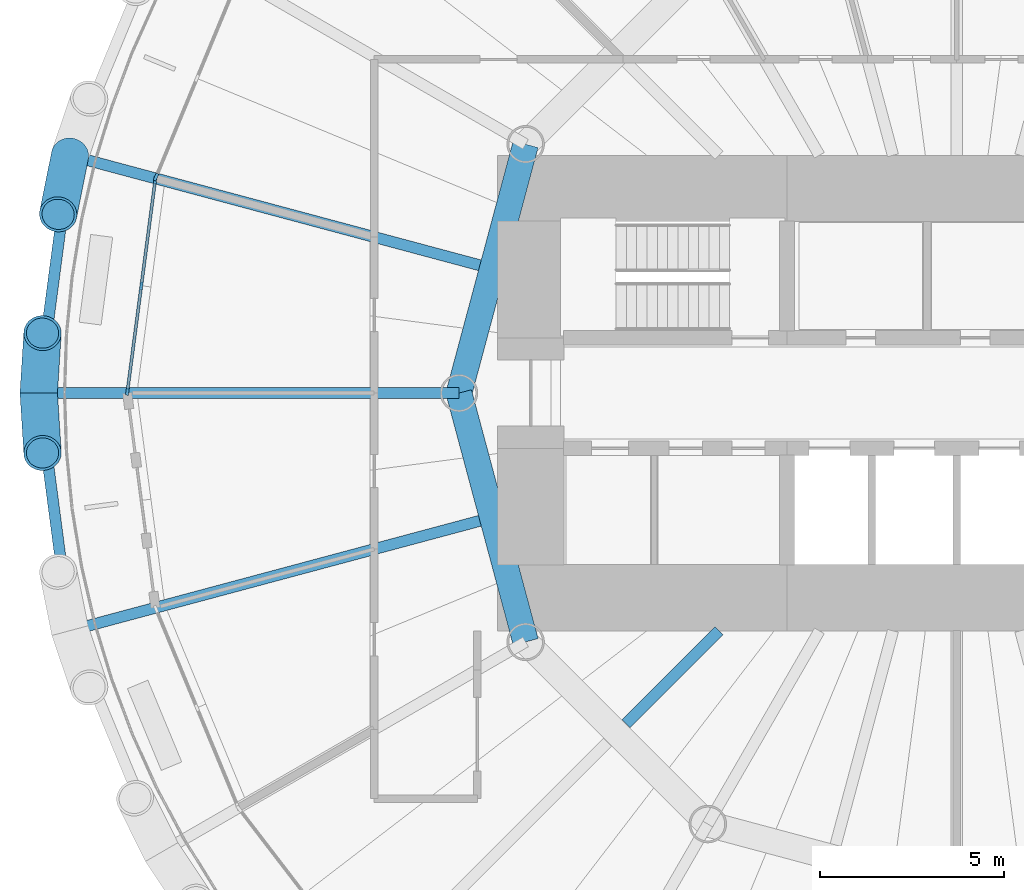
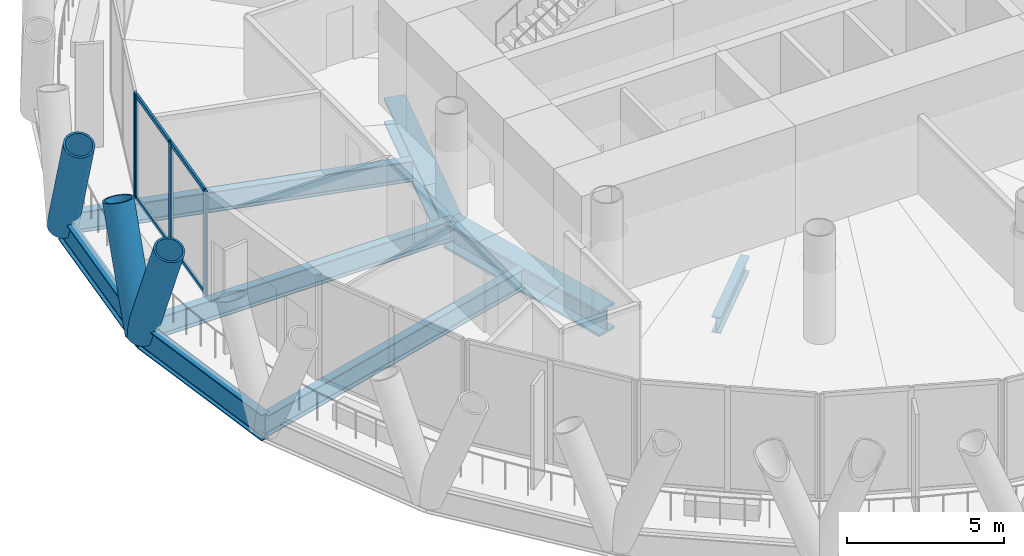
# One storey, part 3 of 15: 11 members, 8 beams, 2 elements without a shape of their own.
"""IFC4 building model written with IfcOpenShell, lengths in metres."""

from ifc_helpers import new_model, si_unit, direction, frame, origin, origin_2d, place, context, subcontext, project, spatial, rectangle, hollow_circle, i_section, extrude, material, material_profile, profile_set, type_object, element, aggregate, save


model = new_model("IFC4")

# Units and contexts
model_context = context("Model", 3, precision=1e-05, world=origin(), true_north=direction((0.0, 1.0)))
body_context = subcontext(model_context, "Body", "Model", "MODEL_VIEW")
ifc_project = project(units=[si_unit("LENGTHUNIT", "METRE"), si_unit("AREAUNIT", "SQUARE_METRE"), si_unit("VOLUMEUNIT", "CUBIC_METRE"), si_unit("PLANEANGLEUNIT", "RADIAN"), si_unit("MASSUNIT", "GRAM", prefix="KILO")], contexts=[model_context])

# Site, building, storey
site_placement = place(None, origin())
site = spatial("IfcSite", under=ifc_project, at=site_placement, CompositionType="ELEMENT")
building_placement = place(site_placement, origin())
building = spatial("IfcBuilding", under=site, at=building_placement, Name="Qaws Media Tower", CompositionType="ELEMENT")
storey_placement = place(building_placement, frame((0.0, 0.0, 143.60009765625)))
storey = spatial("IfcBuildingStorey", under=building, at=storey_placement, Name="L32", CompositionType="ELEMENT", Elevation=143.60009765625)

# Curtain wall, member
ifc_material_1 = material(Name="Aluminium and clear glass", Category="aluminium")
curtain_wall_type = type_object("IfcCurtainWallType", Name="Unitised curtain wall CW-B", PredefinedType="NOTDEFINED", material=ifc_material_1)
curtain_wall_1_placement = place(storey_placement, origin())
curtain_wall_1 = element("IfcCurtainWall", 1, at=curtain_wall_1_placement, inside=storey, type_object=curtain_wall_type, Name="CWB curtain wall L32-11", PredefinedType="NOTDEFINED")
ifc_material_2 = material(Name="Aluminium mullion", Category="aluminium")
ifc_material_profile_1 = material_profile(ifc_material_2, rectangle(XDim=0.080078125, YDim=0.199951171875, at=origin_2d()), Name="80x200")
ifc_profile_set_1 = profile_set([ifc_material_profile_1], Name="Aluminium mullion")
member_type_1 = type_object("IfcMemberType", Name="Curtain wall mullion 80x200", PredefinedType="MULLION", material=ifc_profile_set_1)
member_1_placement = place(storey_placement, frame((38.281982421875, 55.8603515625, 0.0), z_axis=(0.0, 0.0, 1.0), x_axis=(0.923879550892, -0.38268338799, 0.0)))
member_1 = element("IfcMember", 2, at=member_1_placement, type_object=member_type_1, Name="CWB mullion 3", PredefinedType="MULLION", context=body_context, shape_type="SweptSolid", body=[
    extrude(rectangle(XDim=0.080078125, YDim=0.199951171875, at=origin_2d()), origin(), (0.0, 0.0, 1.0), 4.039794921875),
])
aggregate(curtain_wall_1, [member_1])

# Curtain wall, members
curtain_wall_2_placement = place(storey_placement, origin())
curtain_wall_2 = element("IfcCurtainWall", 3, at=curtain_wall_2_placement, inside=storey, type_object=curtain_wall_type, Name="CWB curtain wall L32-12", PredefinedType="NOTDEFINED")
member_2_placement = place(storey_placement, frame((38.261474609375, 55.78369140625, 0.0), z_axis=(0.0, 0.0, 1.0), x_axis=(0.991444860766, -0.13052619684, 0.0)))
member_2 = element("IfcMember", 4, at=member_2_placement, type_object=member_type_1, Name="CWB mullion 1", PredefinedType="MULLION", context=body_context, shape_type="SweptSolid", body=[
    extrude(rectangle(XDim=0.080078125, YDim=0.199951171875, at=origin_2d()), origin(), (0.0, 0.0, 1.0), 4.039794921875),
])
member_3_placement = place(storey_placement, frame((37.88330078125, 52.91162109375, 0.0), z_axis=(0.0, 0.0, 1.0), x_axis=(0.991444860766, -0.13052619684, 0.0)))
member_3 = element("IfcMember", 5, at=member_3_placement, type_object=member_type_1, Name="CWB mullion 2", PredefinedType="MULLION", context=body_context, shape_type="SweptSolid", body=[
    extrude(rectangle(XDim=0.080078125, YDim=0.199951171875, at=origin_2d()), origin(), (0.0, 0.0, 1.0), 4.039794921875),
])
member_4_placement = place(storey_placement, frame((37.505126953125, 50.03955078125, 0.0), z_axis=(0.0, 0.0, 1.0), x_axis=(0.991444860766, -0.13052619684, 0.0)))
member_4 = element("IfcMember", 6, at=member_4_placement, type_object=member_type_1, Name="CWB mullion 3", PredefinedType="MULLION", context=body_context, shape_type="SweptSolid", body=[
    extrude(rectangle(XDim=0.080078125, YDim=0.199951171875, at=origin_2d()), origin(), (0.0, 0.0, 1.0), 4.039794921875),
])
ifc_material_3 = material(Name="Aluminium transom", Category="aluminium")
ifc_material_profile_2 = material_profile(ifc_material_3, rectangle(XDim=0.080078125, YDim=0.159912109375, at=origin_2d()), Name="80x160")
ifc_profile_set_2 = profile_set([ifc_material_profile_2], Name="Aluminium transom")
member_type_2 = type_object("IfcMemberType", Name="Curtain wall transom 80x160", PredefinedType="USERDEFINED", material=ifc_profile_set_2)
member_5_placement = place(storey_placement, frame((38.25634765625, 55.744140625, 0.039794921875), z_axis=(-0.130528499327, -0.991444557635, 0.0), x_axis=(0.991444557635, -0.130528499327, 0.0)))
member_5 = element("IfcMember", 7, at=member_5_placement, type_object=member_type_2, Name="CWB transom 1.1", ObjectType="TRANSOM", PredefinedType="USERDEFINED", context=body_context, shape_type="SweptSolid", body=[
    extrude(rectangle(XDim=0.080078125, YDim=0.159912109375, at=origin_2d()), origin(), (0.0, 0.0, 1.0), 2.81689453125),
])
member_6_placement = place(storey_placement, frame((38.25634765625, 55.744140625, 4.0), z_axis=(-0.130528499327, -0.991444557635, 0.0), x_axis=(0.991444557635, -0.130528499327, 0.0)))
member_6 = element("IfcMember", 8, at=member_6_placement, type_object=member_type_2, Name="CWB transom 1.2", ObjectType="TRANSOM", PredefinedType="USERDEFINED", context=body_context, shape_type="SweptSolid", body=[
    extrude(rectangle(XDim=0.080078125, YDim=0.159912109375, at=origin_2d()), origin(), (0.0, 0.0, 1.0), 2.81689453125),
])
member_7_placement = place(storey_placement, frame((37.878173828125, 52.8720703125, 0.039794921875), z_axis=(-0.130528499327, -0.991444557635, 0.0), x_axis=(0.991444557635, -0.130528499327, 0.0)))
member_7 = element("IfcMember", 9, at=member_7_placement, type_object=member_type_2, Name="CWB transom 2.1", ObjectType="TRANSOM", PredefinedType="USERDEFINED", context=body_context, shape_type="SweptSolid", body=[
    extrude(rectangle(XDim=0.080078125, YDim=0.159912109375, at=origin_2d()), origin(), (0.0, 0.0, 1.0), 2.81689453125),
])
member_8_placement = place(storey_placement, frame((37.878173828125, 52.8720703125, 4.0), z_axis=(-0.130528499327, -0.991444557635, 0.0), x_axis=(0.991444557635, -0.130528499327, 0.0)))
member_8 = element("IfcMember", 10, at=member_8_placement, type_object=member_type_2, Name="CWB transom 2.2", ObjectType="TRANSOM", PredefinedType="USERDEFINED", context=body_context, shape_type="SweptSolid", body=[
    extrude(rectangle(XDim=0.080078125, YDim=0.159912109375, at=origin_2d()), origin(), (0.0, 0.0, 1.0), 2.81689453125),
])
aggregate(curtain_wall_2, [member_2, member_3, member_4, member_5, member_6, member_7, member_8])

# Members
ifc_material_4 = material(Name="Steel S460", Category="steel")
ifc_material_profile_3 = material_profile(ifc_material_4, hollow_circle(Radius=0.508056640625, WallThickness=0.070068359375, at=origin_2d()), Name="CHS 1016x70")
ifc_profile_set_3 = profile_set([ifc_material_profile_3], Name="Steel S460")
member_type_3 = type_object("IfcMemberType", Name="Diagrid member CHS 1016x70", PredefinedType="USERDEFINED", material=ifc_profile_set_3)
for number, where, z_axis, x_axis, name in (
    (11, (35.948486328125, 56.444580078125, -0.6640625), (-0.071269364926, -0.354449921381, 0.932355045493), (0.980378361472, -0.197125006932, 0.0), "DG3 diagrid L32 A12"),
    (12, (35.10009765625, 50.0, -0.6640625), (0.022871471685, -0.360794755945, 0.932364756876), (0.997996767875, 0.063264929554, 0.0), "DG3 diagrid L32 A13"),
    (13, (35.10009765625, 50.0, -0.6640625), (0.022871471685, 0.360794755945, 0.932364756876), (-0.997996767875, 0.063264929554, 0.0), "DG3 diagrid L32 B13"),
):
    element("IfcMember", number, at=place(storey_placement, frame(where, z_axis=z_axis, x_axis=x_axis)), inside=storey, type_object=member_type_3, Name=name, ObjectType="DIAGRID", PredefinedType="USERDEFINED", context=body_context, shape_type="SweptSolid", body=[
        extrude(hollow_circle(Radius=0.508056640625, WallThickness=0.070068359375, at=origin_2d()), origin(), (0.0, 0.0, 1.0), 4.504638671875),
    ])

# Beams
ifc_material_5 = material(Name="Steel S460", Category="steel")
ifc_material_profile_4 = material_profile(ifc_material_5, i_section(OverallWidth=0.302001953125, OverallDepth=1.008056640625, WebThickness=0.02099609375, FlangeThickness=0.0400390625, FilletRadius=0.030029296875, at=origin_2d()), Name="HE 1000 M")
ifc_profile_set_4 = profile_set([ifc_material_profile_4], Name="Steel S460")
beam_type_1 = type_object("IfcBeamType", Name="Edge ring beam HE 1000 M", PredefinedType="BEAM", material=ifc_profile_set_4)
for number, where, z_axis, x_axis, name in (
    (14, (35.948486328125, 56.444580078125, -0.6640625), (-0.130517664675, -0.991445984009, 0.0), (0.991445984009, -0.130517664675, 0.0), "RB3 edge ring beam L32-12"),
    (15, (35.10009765625, 50.0, -0.6640625), (0.130517664675, -0.991445984009, 0.0), (0.991445984009, 0.130517664675, 0.0), "RB3 edge ring beam L32-13"),
):
    element("IfcBeam", number, at=place(storey_placement, frame(where, z_axis=z_axis, x_axis=x_axis)), inside=storey, type_object=beam_type_1, Name=name, PredefinedType="BEAM", context=body_context, shape_type="SweptSolid", body=[
        extrude(i_section(OverallWidth=0.302001953125, OverallDepth=1.008056640625, WebThickness=0.02099609375, FlangeThickness=0.0400390625, FilletRadius=0.030029296875, at=origin_2d()), origin(), (0.0, 0.0, 1.0), 6.500244140625),
    ])
ifc_material_6 = material(Name="Steel S460", Category="steel")
ifc_material_profile_5 = material_profile(ifc_material_6, i_section(OverallWidth=0.699951171875, OverallDepth=1.0, WebThickness=0.034912109375, FlangeThickness=0.090087890625, at=origin_2d()), Name="PG 1000x700")
ifc_profile_set_5 = profile_set([ifc_material_profile_5], Name="Steel S460")
beam_type_2 = type_object("IfcBeamType", Name="Inner ring girder PG 1000x700", PredefinedType="BEAM", material=ifc_profile_set_5)
for number, where, z_axis, x_axis, name in (
    (16, (48.30859375, 56.75, -0.66015625), (-0.258810593767, -0.965928090778, 0.0), (0.965928090778, -0.258810593767, 0.0), "B3 inner ring beam L32 I06-I07"),
    (17, (46.5, 50.0, -0.66015625), (0.258810593767, -0.965928090778, 0.0), (0.965928090778, 0.258810593767, 0.0), "B3 inner ring beam L32 I07-I08"),
):
    element("IfcBeam", number, at=place(storey_placement, frame(where, z_axis=z_axis, x_axis=x_axis)), inside=storey, type_object=beam_type_2, Name=name, PredefinedType="BEAM", context=body_context, shape_type="SweptSolid", body=[
        extrude(i_section(OverallWidth=0.699951171875, OverallDepth=1.0, WebThickness=0.034912109375, FlangeThickness=0.090087890625, at=origin_2d()), origin(), (0.0, 0.0, 1.0), 6.988037109375),
    ])
ifc_material_7 = material(Name="Steel S355", Category="steel")
ifc_material_profile_6 = material_profile(ifc_material_7, i_section(OverallWidth=0.304931640625, OverallDepth=0.6201171875, WebThickness=0.02099609375, FlangeThickness=0.0400390625, FilletRadius=0.027099609375, at=origin_2d()), Name="HE 600 M")
ifc_profile_set_6 = profile_set([ifc_material_profile_6], Name="Steel S355")
beam_type_3 = type_object("IfcBeamType", Name="Radial beam HE 600 M, core side", PredefinedType="BEAM", material=ifc_profile_set_6)
beam_1_placement = place(storey_placement, frame((53.550048828125, 43.550048828125, -0.47021484375), z_axis=(-0.707106781187, -0.707106781187, 0.0), x_axis=(0.707106781187, -0.707106781187, 0.0)))
element("IfcBeam", 18, at=beam_1_placement, inside=storey, type_object=beam_type_3, Name="B2 radial beam L32 16", PredefinedType="BEAM", context=body_context, shape_type="SweptSolid", body=[
    extrude(i_section(OverallWidth=0.304931640625, OverallDepth=0.6201171875, WebThickness=0.02099609375, FlangeThickness=0.0400390625, FilletRadius=0.027099609375, at=origin_2d()), origin(), (0.0, 0.0, 1.0), 3.568359375),
])
ifc_material_8 = material(Name="Steel S355", Category="steel")
ifc_material_profile_7 = material_profile(ifc_material_8, i_section(OverallWidth=0.300048828125, OverallDepth=0.800048828125, WebThickness=0.017578125, FlangeThickness=0.032958984375, FilletRadius=0.030029296875, at=origin_2d()), Name="HE 800 B")
ifc_profile_set_7 = profile_set([ifc_material_profile_7], Name="Steel S355")
beam_type_4 = type_object("IfcBeamType", Name="Radial beam HE 800 B", PredefinedType="BEAM", material=ifc_profile_set_7)
beam_2_placement = place(storey_placement, frame((47.066162109375, 53.465576171875, -0.56005859375), z_axis=(-0.965925138638, 0.258821611438, 0.0), x_axis=(-0.258821611438, -0.965925138638, 0.0)))
element("IfcBeam", 19, at=beam_2_placement, inside=storey, type_object=beam_type_4, Name="B1 radial beam L32 12", PredefinedType="BEAM", context=body_context, shape_type="SweptSolid", body=[
    extrude(i_section(OverallWidth=0.300048828125, OverallDepth=0.800048828125, WebThickness=0.017578125, FlangeThickness=0.032958984375, FilletRadius=0.030029296875, at=origin_2d()), origin(), (0.0, 0.0, 1.0), 11.509765625),
])
beam_3_placement = place(storey_placement, frame((46.5, 50.0, -0.56005859375), z_axis=(-1.0, 0.0, 0.0), x_axis=(0.0, -1.0, 0.0)))
element("IfcBeam", 20, at=beam_3_placement, inside=storey, type_object=beam_type_4, Name="B1 radial beam L32 13", PredefinedType="BEAM", context=body_context, shape_type="SweptSolid", body=[
    extrude(i_section(OverallWidth=0.300048828125, OverallDepth=0.800048828125, WebThickness=0.017578125, FlangeThickness=0.032958984375, FilletRadius=0.030029296875, at=origin_2d()), origin(), (0.0, 0.0, 1.0), 11.39990234375),
])
beam_4_placement = place(storey_placement, frame((47.066162109375, 46.534423828125, -0.56005859375), z_axis=(-0.965925138638, -0.258821611438, 0.0), x_axis=(0.258821611438, -0.965925138638, 0.0)))
element("IfcBeam", 21, at=beam_4_placement, inside=storey, type_object=beam_type_4, Name="B1 radial beam L32 14", PredefinedType="BEAM", context=body_context, shape_type="SweptSolid", body=[
    extrude(i_section(OverallWidth=0.300048828125, OverallDepth=0.800048828125, WebThickness=0.017578125, FlangeThickness=0.032958984375, FilletRadius=0.030029296875, at=origin_2d()), origin(), (0.0, 0.0, 1.0), 11.509765625),
])

save(model, "model.ifc")
